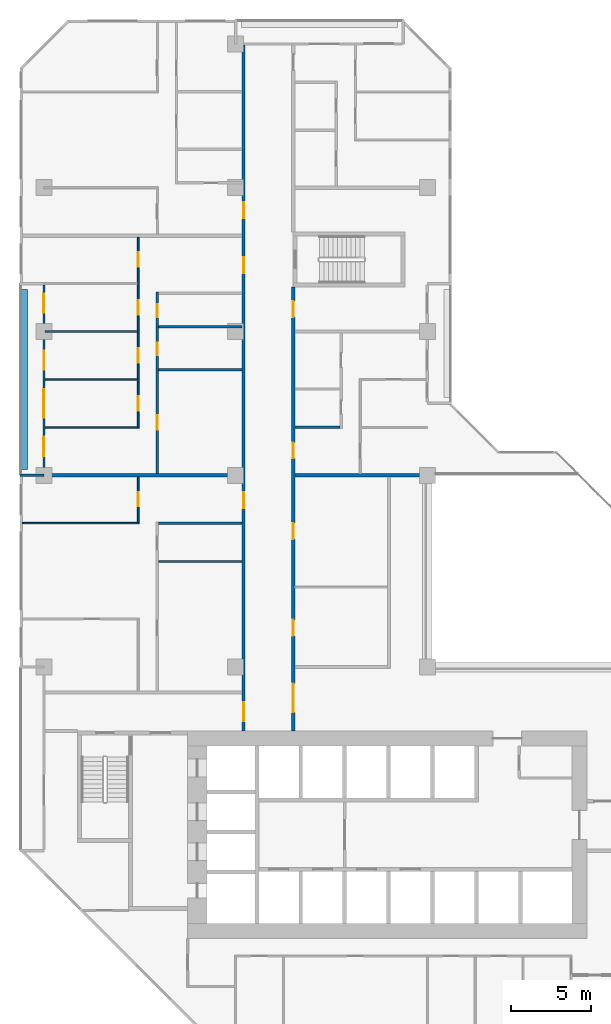
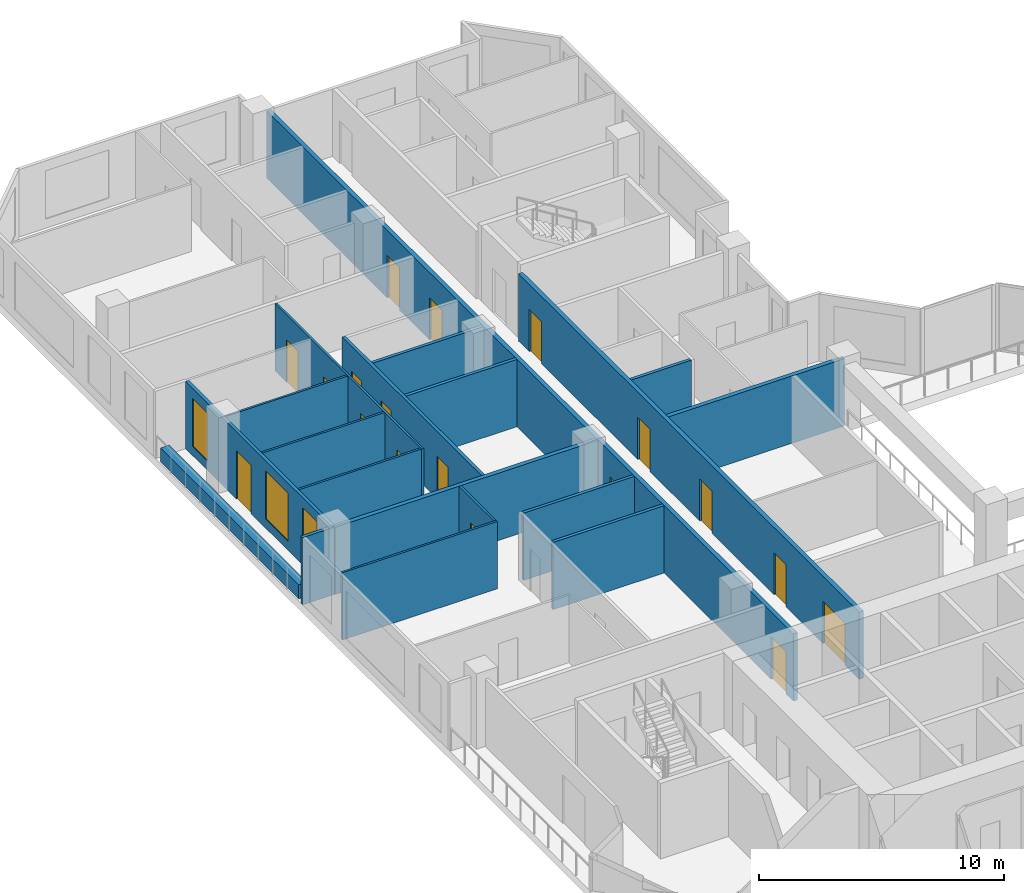
# One storey, part 9 of 16: 19 walls, 18 doors, 3 windows, 21 openings.
"""IFC4 building model written with IfcOpenShell, lengths in metres."""

from ifc_helpers import new_model, si_unit, direction, frame, frame_2d, origin, place, context, subcontext, project, spatial, rectangle, extrude, material, layer, layer_set, type_object, element, fill, save


model = new_model("IFC4")

# Units and contexts
model_context = context("Model", 3, precision=1e-05, world=origin(), true_north=direction((0.0, 1.0)))
body_context = subcontext(model_context, "Body", "Model", "MODEL_VIEW")
ifc_project = project(units=[si_unit("LENGTHUNIT", "METRE"), si_unit("AREAUNIT", "SQUARE_METRE"), si_unit("VOLUMEUNIT", "CUBIC_METRE"), si_unit("PLANEANGLEUNIT", "RADIAN"), si_unit("MASSUNIT", "GRAM", prefix="KILO")], contexts=[model_context])

# Site, building, storey
site_placement = place(None, origin())
site = spatial("IfcSite", under=ifc_project, at=site_placement, CompositionType="ELEMENT")
building_placement = place(site_placement, origin())
building = spatial("IfcBuilding", under=site, at=building_placement, Name="Chenar Terraces", CompositionType="ELEMENT")
storey_placement = place(building_placement, frame((0.0, 0.0, 103.14990234375)))
storey = spatial("IfcBuildingStorey", under=building, at=storey_placement, Name="L23", CompositionType="ELEMENT", Elevation=103.14990234375)

# Wall, openings, doors
ifc_material_1 = material(Name="Gypsum board on steel studs with fire boards", Category="steel")
ifc_layer_1 = layer(ifc_material_1, 0.199951171875)
ifc_layer_set_1 = layer_set([ifc_layer_1], Name="Gypsum board on steel studs with fire boards")
wall_type_1 = type_object("IfcWallType", Name="Corridor wall 200", PredefinedType="PARTITIONING", material=ifc_layer_set_1)
wall_1_placement = place(storey_placement, frame((12.5, 20.0, 0.0), z_axis=(0.0, 0.0, 1.0), x_axis=(0.0, 1.0, 0.0)))
wall_1 = element("IfcWall", 1, at=wall_1_placement, inside=storey, type_object=wall_type_1, Name="Partition L23-034", PredefinedType="PARTITIONING", context=body_context, shape_type="SweptSolid", body=[
    extrude(rectangle(XDim=42.926025390625, YDim=0.199951171875, at=frame_2d((21.462890625, 0.0))), origin(), (0.0, 0.0, 1.0), 3.35009765625),
])
opening_1_placement = place(wall_1_placement, frame((28.64990234375, 0.0, 0.0)))
opening_1 = element("IfcOpeningElement", 2, at=opening_1_placement, cuts=wall_1, Name="Opening DL23-40", PredefinedType="OPENING", context=body_context, shape_type="SweptSolid", body=[
    extrude(rectangle(XDim=1.0, YDim=2.10009765625, at=frame_2d((0.5, 1.050048828125))), frame((0.0, 0.10986328125, 0.0), z_axis=(0.0, -1.0, 0.0), x_axis=(1.0, 0.0, 0.0)), (0.0, 0.0, 1.0), 0.219970703125),
])
opening_2_placement = place(wall_1_placement, frame((32.10009765625, 0.0, 0.0)))
opening_2 = element("IfcOpeningElement", 3, at=opening_2_placement, cuts=wall_1, Name="Opening DL23-46", PredefinedType="OPENING", context=body_context, shape_type="SweptSolid", body=[
    extrude(rectangle(XDim=1.0, YDim=2.10009765625, at=frame_2d((0.5, 1.050048828125))), frame((0.0, 0.10986328125, 0.0), z_axis=(0.0, -1.0, 0.0), x_axis=(1.0, 0.0, 0.0)), (0.0, 0.0, 1.0), 0.219970703125),
])
opening_3_placement = place(wall_1_placement, frame((0.60009765625, 0.0, 0.0)))
opening_3 = element("IfcOpeningElement", 4, at=opening_3_placement, cuts=wall_1, Name="Opening DL23-50", PredefinedType="OPENING", context=body_context, shape_type="SweptSolid", body=[
    extrude(rectangle(XDim=1.199951171875, YDim=2.10009765625, at=frame_2d((0.60009765625, 1.050048828125))), frame((0.0, 0.10986328125, 0.0), z_axis=(0.0, -1.0, 0.0), x_axis=(1.0, 0.0, 0.0)), (0.0, 0.0, 1.0), 0.219970703125),
])
opening_4_placement = place(wall_1_placement, frame((13.949951171875, 0.0, 0.0)))
opening_4 = element("IfcOpeningElement", 5, at=opening_4_placement, cuts=wall_1, Name="Opening DL23-73", PredefinedType="OPENING", context=body_context, shape_type="SweptSolid", body=[
    extrude(rectangle(XDim=1.0, YDim=2.10009765625, at=frame_2d((0.5, 1.050048828125))), frame((0.0, 0.10986328125, 0.0), z_axis=(0.0, -1.0, 0.0), x_axis=(1.0, 0.0, 0.0)), (0.0, 0.0, 1.0), 0.219970703125),
])
ifc_material_2 = material(Name="Steel-framed fire-resisting door leaf", Category="steel")
door_type_1 = type_object("IfcDoorType", Name="Fire door FD30S 1000 x 2100", OperationType="SINGLE_SWING_LEFT", PredefinedType="DOOR", material=ifc_material_2)
door_1_placement = place(opening_1_placement, origin())
door_1 = element("IfcDoor", 6, at=door_1_placement, inside=storey, type_object=door_type_1, Name="Door DL23-40", OperationType="SINGLE_SWING_LEFT", OverallHeight=2.10009765625, OverallWidth=1.0, PredefinedType="DOOR", context=body_context, shape_type="SweptSolid", body=[
    extrude(rectangle(XDim=1.0, YDim=2.10009765625, at=frame_2d((0.5, 1.050048828125))), frame((0.0, 0.02490234375, 0.0), z_axis=(0.0, -1.0, 0.0), x_axis=(1.0, 0.0, 0.0)), (0.0, 0.0, 1.0), 0.050048828125),
])
fill(opening_1, door_1)
door_2_placement = place(opening_2_placement, origin())
door_2 = element("IfcDoor", 7, at=door_2_placement, inside=storey, type_object=door_type_1, Name="Door DL23-46", OperationType="SINGLE_SWING_RIGHT", OverallHeight=2.10009765625, OverallWidth=1.0, PredefinedType="DOOR", context=body_context, shape_type="SweptSolid", body=[
    extrude(rectangle(XDim=1.0, YDim=2.10009765625, at=frame_2d((0.5, 1.050048828125))), frame((0.0, 0.02490234375, 0.0), z_axis=(0.0, -1.0, 0.0), x_axis=(1.0, 0.0, 0.0)), (0.0, 0.0, 1.0), 0.050048828125),
])
fill(opening_2, door_2)
door_3_placement = place(opening_4_placement, origin())
door_3 = element("IfcDoor", 8, at=door_3_placement, inside=storey, type_object=door_type_1, Name="Door DL23-73", OperationType="SINGLE_SWING_RIGHT", OverallHeight=2.10009765625, OverallWidth=1.0, PredefinedType="DOOR", context=body_context, shape_type="SweptSolid", body=[
    extrude(rectangle(XDim=1.0, YDim=2.10009765625, at=frame_2d((0.5, 1.050048828125))), frame((0.0, 0.02490234375, 0.0), z_axis=(0.0, -1.0, 0.0), x_axis=(1.0, 0.0, 0.0)), (0.0, 0.0, 1.0), 0.050048828125),
])
fill(opening_4, door_3)
ifc_material_3 = material(Name="Steel-framed fire-resisting door leaf", Category="steel")
door_type_2 = type_object("IfcDoorType", Name="Fire door FD30S 1200 x 2100", OperationType="SINGLE_SWING_LEFT", PredefinedType="DOOR", material=ifc_material_3)
door_4_placement = place(opening_3_placement, origin())
door_4 = element("IfcDoor", 9, at=door_4_placement, inside=storey, type_object=door_type_2, Name="Door DL23-50", OperationType="SINGLE_SWING_RIGHT", OverallHeight=2.10009765625, OverallWidth=1.199951171875, PredefinedType="DOOR", context=body_context, shape_type="SweptSolid", body=[
    extrude(rectangle(XDim=1.199951171875, YDim=2.10009765625, at=frame_2d((0.60009765625, 1.050048828125))), frame((0.0, 0.02490234375, 0.0), z_axis=(0.0, -1.0, 0.0), x_axis=(1.0, 0.0, 0.0)), (0.0, 0.0, 1.0), 0.050048828125),
])
fill(opening_3, door_4)

wall_2_placement = place(storey_placement, frame((15.60009765625, 20.0, 0.0), z_axis=(0.0, 0.0, 1.0), x_axis=(0.0, 1.0, 0.0)))
wall_2 = element("IfcWall", 10, at=wall_2_placement, inside=storey, type_object=wall_type_1, Name="Partition L23-036", PredefinedType="PARTITIONING", context=body_context, shape_type="SweptSolid", body=[
    extrude(rectangle(XDim=27.77490234375, YDim=0.199951171875, at=frame_2d((13.887451171875, 0.0))), origin(), (0.0, 0.0, 1.0), 3.35009765625),
])
opening_5_placement = place(wall_2_placement, frame((5.949951171875, 0.0, 0.0)))
opening_5 = element("IfcOpeningElement", 11, at=opening_5_placement, cuts=wall_2, Name="Opening DL23-1", PredefinedType="OPENING", context=body_context, shape_type="SweptSolid", body=[
    extrude(rectangle(XDim=1.0, YDim=2.10009765625, at=frame_2d((0.5, 1.050048828125))), frame((0.0, 0.10986328125, 0.0), z_axis=(0.0, -1.0, 0.0), x_axis=(1.0, 0.0, 0.0)), (0.0, 0.0, 1.0), 0.219970703125),
])
opening_6_placement = place(wall_2_placement, frame((12.0, 0.0, 0.0)))
opening_6 = element("IfcOpeningElement", 12, at=opening_6_placement, cuts=wall_2, Name="Opening DL23-2", PredefinedType="OPENING", context=body_context, shape_type="SweptSolid", body=[
    extrude(rectangle(XDim=1.0, YDim=2.10009765625, at=frame_2d((0.5, 1.050048828125))), frame((0.0, 0.10986328125, 0.0), z_axis=(0.0, -1.0, 0.0), x_axis=(1.0, 0.0, 0.0)), (0.0, 0.0, 1.0), 0.219970703125),
])
opening_7_placement = place(wall_2_placement, frame((17.050048828125, 0.0, 0.0)))
opening_7 = element("IfcOpeningElement", 13, at=opening_7_placement, cuts=wall_2, Name="Opening DL23-28", PredefinedType="OPENING", context=body_context, shape_type="SweptSolid", body=[
    extrude(rectangle(XDim=1.0, YDim=2.10009765625, at=frame_2d((0.5, 1.050048828125))), frame((0.0, 0.10986328125, 0.0), z_axis=(0.0, -1.0, 0.0), x_axis=(1.0, 0.0, 0.0)), (0.0, 0.0, 1.0), 0.219970703125),
])
opening_8_placement = place(wall_2_placement, frame((1.14990234375, 0.0, 0.0)))
opening_8 = element("IfcOpeningElement", 14, at=opening_8_placement, cuts=wall_2, Name="Opening DL23-49", PredefinedType="OPENING", context=body_context, shape_type="SweptSolid", body=[
    extrude(rectangle(XDim=1.800048828125, YDim=2.10009765625, at=frame_2d((0.89990234375, 1.050048828125))), frame((0.0, 0.10986328125, 0.0), z_axis=(0.0, -1.0, 0.0), x_axis=(1.0, 0.0, 0.0)), (0.0, 0.0, 1.0), 0.219970703125),
])
opening_9_placement = place(wall_2_placement, frame((25.89990234375, 0.0, 0.0)))
opening_9 = element("IfcOpeningElement", 15, at=opening_9_placement, cuts=wall_2, Name="Opening DL23-52", PredefinedType="OPENING", context=body_context, shape_type="SweptSolid", body=[
    extrude(rectangle(XDim=1.0, YDim=2.10009765625, at=frame_2d((0.5, 1.050048828125))), frame((0.0, 0.10986328125, 0.0), z_axis=(0.0, -1.0, 0.0), x_axis=(1.0, 0.0, 0.0)), (0.0, 0.0, 1.0), 0.219970703125),
])
ifc_material_4 = material(Name="Steel-framed fire-resisting door leaf", Category="steel")
door_type_3 = type_object("IfcDoorType", Name="Fire door FD60 1000 x 2100", OperationType="SINGLE_SWING_LEFT", PredefinedType="DOOR", material=ifc_material_4)
door_5_placement = place(opening_5_placement, frame((1.0, 0.0, 0.0), z_axis=(0.0, 0.0, 1.0), x_axis=(-1.0, 0.0, 0.0)))
door_5 = element("IfcDoor", 16, at=door_5_placement, inside=storey, type_object=door_type_3, Name="Door DL23-1", OperationType="SINGLE_SWING_LEFT", OverallHeight=2.10009765625, OverallWidth=1.0, PredefinedType="DOOR", context=body_context, shape_type="SweptSolid", body=[
    extrude(rectangle(XDim=1.0, YDim=2.10009765625, at=frame_2d((0.5, 1.050048828125))), frame((0.0, 0.02490234375, 0.0), z_axis=(0.0, -1.0, 0.0), x_axis=(1.0, 0.0, 0.0)), (0.0, 0.0, 1.0), 0.050048828125),
])
fill(opening_5, door_5)
door_6_placement = place(opening_6_placement, frame((1.0, 0.0, 0.0), z_axis=(0.0, 0.0, 1.0), x_axis=(-1.0, 0.0, 0.0)))
door_6 = element("IfcDoor", 17, at=door_6_placement, inside=storey, type_object=door_type_3, Name="Door DL23-2", OperationType="SINGLE_SWING_LEFT", OverallHeight=2.10009765625, OverallWidth=1.0, PredefinedType="DOOR", context=body_context, shape_type="SweptSolid", body=[
    extrude(rectangle(XDim=1.0, YDim=2.10009765625, at=frame_2d((0.5, 1.050048828125))), frame((0.0, 0.02490234375, 0.0), z_axis=(0.0, -1.0, 0.0), x_axis=(1.0, 0.0, 0.0)), (0.0, 0.0, 1.0), 0.050048828125),
])
fill(opening_6, door_6)
door_7_placement = place(opening_7_placement, frame((1.0, 0.0, 0.0), z_axis=(0.0, 0.0, 1.0), x_axis=(-1.0, 0.0, 0.0)))
door_7 = element("IfcDoor", 18, at=door_7_placement, inside=storey, type_object=door_type_3, Name="Door DL23-28", OperationType="SINGLE_SWING_LEFT", OverallHeight=2.10009765625, OverallWidth=1.0, PredefinedType="DOOR", context=body_context, shape_type="SweptSolid", body=[
    extrude(rectangle(XDim=1.0, YDim=2.10009765625, at=frame_2d((0.5, 1.050048828125))), frame((0.0, 0.02490234375, 0.0), z_axis=(0.0, -1.0, 0.0), x_axis=(1.0, 0.0, 0.0)), (0.0, 0.0, 1.0), 0.050048828125),
])
fill(opening_7, door_7)
door_8_placement = place(opening_9_placement, frame((1.0, 0.0, 0.0), z_axis=(0.0, 0.0, 1.0), x_axis=(-1.0, 0.0, 0.0)))
door_8 = element("IfcDoor", 19, at=door_8_placement, inside=storey, type_object=door_type_3, Name="Door DL23-52", OperationType="SINGLE_SWING_RIGHT", OverallHeight=2.10009765625, OverallWidth=1.0, PredefinedType="DOOR", context=body_context, shape_type="SweptSolid", body=[
    extrude(rectangle(XDim=1.0, YDim=2.10009765625, at=frame_2d((0.5, 1.050048828125))), frame((0.0, 0.02490234375, 0.0), z_axis=(0.0, -1.0, 0.0), x_axis=(1.0, 0.0, 0.0)), (0.0, 0.0, 1.0), 0.050048828125),
])
fill(opening_9, door_8)
ifc_material_5 = material(Name="Steel-framed fire-resisting door leaf", Category="steel")
door_type_4 = type_object("IfcDoorType", Name="Fire double door FD60 1800 x 2100", OperationType="DOUBLE_DOOR_SINGLE_SWING", PredefinedType="DOOR", material=ifc_material_5)
door_9_placement = place(opening_8_placement, frame((1.800048828125, 0.0, 0.0), z_axis=(0.0, 0.0, 1.0), x_axis=(-1.0, 0.0, 0.0)))
door_9 = element("IfcDoor", 20, at=door_9_placement, inside=storey, type_object=door_type_4, Name="Door DL23-49", OperationType="DOUBLE_DOOR_SINGLE_SWING", OverallHeight=2.10009765625, OverallWidth=1.800048828125, PredefinedType="DOOR", context=body_context, shape_type="SweptSolid", body=[
    extrude(rectangle(XDim=1.800048828125, YDim=2.10009765625, at=frame_2d((0.89990234375, 1.050048828125))), frame((0.0, 0.02490234375, 0.0), z_axis=(0.0, -1.0, 0.0), x_axis=(1.0, 0.0, 0.0)), (0.0, 0.0, 1.0), 0.050048828125),
])
fill(opening_8, door_9)

# Wall, openings, windows, door
ifc_material_6 = material(Name="Aluminium framed glazing", Category="aluminium")
ifc_layer_2 = layer(ifc_material_6, 0.14990234375)
ifc_layer_set_2 = layer_set([ifc_layer_2], Name="Aluminium framed glazing")
wall_type_2 = type_object("IfcWallType", Name="Glazed loggia back wall 150", PredefinedType="SOLIDWALL", material=ifc_layer_set_2)
wall_3_placement = place(storey_placement, frame((0.0, 47.925048828125, 0.0), z_axis=(0.0, 0.0, 1.0), x_axis=(0.0, -1.0, 0.0)))
wall_3 = element("IfcWall", 21, at=wall_3_placement, inside=storey, type_object=wall_type_2, Name="Glazed loggia back wall", PredefinedType="SOLIDWALL", context=body_context, shape_type="SweptSolid", body=[
    extrude(rectangle(XDim=11.85009765625, YDim=0.14990234375, at=frame_2d((5.925048828125, 0.0))), origin(), (0.0, 0.0, 1.0), 3.35009765625),
])
opening_10_placement = place(wall_3_placement, frame((0.5625, 0.0, 0.449951171875)))
opening_10 = element("IfcOpeningElement", 22, at=opening_10_placement, cuts=wall_3, Name="Opening W120x240", PredefinedType="OPENING", context=body_context, shape_type="SweptSolid", body=[
    extrude(rectangle(XDim=1.199951171875, YDim=2.39990234375, at=frame_2d((0.60009765625, 1.199951171875))), frame((0.0, 0.0849609375, 0.0), z_axis=(0.0, -1.0, 0.0), x_axis=(1.0, 0.0, 0.0)), (0.0, 0.0, 1.0), 0.169921875),
])
opening_11_placement = place(wall_3_placement, frame((4.125, 0.0, 0.0)))
opening_11 = element("IfcOpeningElement", 23, at=opening_11_placement, cuts=wall_3, Name="Opening DL23-G4", PredefinedType="OPENING", context=body_context, shape_type="SweptSolid", body=[
    extrude(rectangle(XDim=1.199951171875, YDim=2.39990234375, at=frame_2d((0.60009765625, 1.199951171875))), frame((0.0, 0.0849609375, 0.0), z_axis=(0.0, -1.0, 0.0), x_axis=(1.0, 0.0, 0.0)), (0.0, 0.0, 1.0), 0.169921875),
])
opening_12_placement = place(wall_3_placement, frame((6.52490234375, 0.0, 0.449951171875)))
opening_12 = element("IfcOpeningElement", 24, at=opening_12_placement, cuts=wall_3, Name="Opening W180x240", PredefinedType="OPENING", context=body_context, shape_type="SweptSolid", body=[
    extrude(rectangle(XDim=1.800048828125, YDim=2.39990234375, at=frame_2d((0.89990234375, 1.199951171875))), frame((0.0, 0.0849609375, 0.0), z_axis=(0.0, -1.0, 0.0), x_axis=(1.0, 0.0, 0.0)), (0.0, 0.0, 1.0), 0.169921875),
])
opening_13_placement = place(wall_3_placement, frame((9.52490234375, 0.0, 0.449951171875)))
opening_13 = element("IfcOpeningElement", 25, at=opening_13_placement, cuts=wall_3, Name="Opening W120x240", PredefinedType="OPENING", context=body_context, shape_type="SweptSolid", body=[
    extrude(rectangle(XDim=1.199951171875, YDim=2.39990234375, at=frame_2d((0.60009765625, 1.199951171875))), frame((0.0, 0.0849609375, 0.0), z_axis=(0.0, -1.0, 0.0), x_axis=(1.0, 0.0, 0.0)), (0.0, 0.0, 1.0), 0.169921875),
])
ifc_material_7 = material(Name="Low emissivity double glazing, aluminium frame", Category="aluminium")
window_type_1 = type_object("IfcWindowType", Name="Fixed light 1200 x 2400", PartitioningType="SINGLE_PANEL", PredefinedType="WINDOW", material=ifc_material_7)
window_1_placement = place(opening_10_placement, origin())
window_1 = element("IfcWindow", 26, at=window_1_placement, inside=storey, type_object=window_type_1, Name="Window", OverallHeight=2.39990234375, OverallWidth=1.199951171875, PartitioningType="SINGLE_PANEL", PredefinedType="WINDOW", context=body_context, shape_type="SweptSolid", body=[
    extrude(rectangle(XDim=1.199951171875, YDim=2.39990234375, at=frame_2d((0.60009765625, 1.199951171875))), frame((0.0, 0.030029296875, 0.0), z_axis=(0.0, -1.0, 0.0), x_axis=(1.0, 0.0, 0.0)), (0.0, 0.0, 1.0), 0.06005859375),
])
fill(opening_10, window_1)
window_2_placement = place(opening_13_placement, origin())
window_2 = element("IfcWindow", 27, at=window_2_placement, inside=storey, type_object=window_type_1, Name="Window", OverallHeight=2.39990234375, OverallWidth=1.199951171875, PartitioningType="SINGLE_PANEL", PredefinedType="WINDOW", context=body_context, shape_type="SweptSolid", body=[
    extrude(rectangle(XDim=1.199951171875, YDim=2.39990234375, at=frame_2d((0.60009765625, 1.199951171875))), frame((0.0, 0.030029296875, 0.0), z_axis=(0.0, -1.0, 0.0), x_axis=(1.0, 0.0, 0.0)), (0.0, 0.0, 1.0), 0.06005859375),
])
fill(opening_13, window_2)
ifc_material_8 = material(Name="Low emissivity double glazing, aluminium frame", Category="aluminium")
window_type_2 = type_object("IfcWindowType", Name="Fixed light 1800 x 2400", PartitioningType="SINGLE_PANEL", PredefinedType="WINDOW", material=ifc_material_8)
window_3_placement = place(opening_12_placement, origin())
window_3 = element("IfcWindow", 28, at=window_3_placement, inside=storey, type_object=window_type_2, Name="Window", OverallHeight=2.39990234375, OverallWidth=1.800048828125, PartitioningType="SINGLE_PANEL", PredefinedType="WINDOW", context=body_context, shape_type="SweptSolid", body=[
    extrude(rectangle(XDim=1.800048828125, YDim=2.39990234375, at=frame_2d((0.89990234375, 1.199951171875))), frame((0.0, 0.030029296875, 0.0), z_axis=(0.0, -1.0, 0.0), x_axis=(1.0, 0.0, 0.0)), (0.0, 0.0, 1.0), 0.06005859375),
])
fill(opening_12, window_3)
ifc_material_9 = material(Name="Low emissivity double glazing, aluminium frame", Category="aluminium")
door_type_5 = type_object("IfcDoorType", Name="Loggia glazed double door 1200 x 2400", OperationType="DOUBLE_DOOR_SINGLE_SWING", PredefinedType="DOOR", material=ifc_material_9)
door_10_placement = place(opening_11_placement, frame((1.199951171875, 0.0, 0.0), z_axis=(0.0, 0.0, 1.0), x_axis=(-1.0, 0.0, 0.0)))
door_10 = element("IfcDoor", 29, at=door_10_placement, inside=storey, type_object=door_type_5, Name="Loggia glazed door", OperationType="DOUBLE_DOOR_SINGLE_SWING", OverallHeight=2.39990234375, OverallWidth=1.199951171875, PredefinedType="DOOR", context=body_context, shape_type="SweptSolid", body=[
    extrude(rectangle(XDim=1.199951171875, YDim=2.39990234375, at=frame_2d((0.60009765625, 1.199951171875))), frame((0.0, 0.02490234375, 0.0), z_axis=(0.0, -1.0, 0.0), x_axis=(1.0, 0.0, 0.0)), (0.0, 0.0, 1.0), 0.050048828125),
])
fill(opening_11, door_10)

# Walls
ifc_material_10 = material(Name="Gypsum board on steel studs", Category="steel")
ifc_layer_3 = layer(ifc_material_10, 0.10009765625)
ifc_layer_set_3 = layer_set([ifc_layer_3], Name="Gypsum board on steel studs")
wall_type_3 = type_object("IfcWallType", Name="Gypsum partition 100", PredefinedType="PARTITIONING", material=ifc_layer_set_3)
wall_4_placement = place(storey_placement, frame((-1.35009765625, 33.0, 0.0), z_axis=(0.0, 0.0, 1.0), x_axis=(1.0, 0.0, 0.0)))
element("IfcWall", 30, at=wall_4_placement, inside=storey, type_object=wall_type_3, Name="Partition L23-002", PredefinedType="PARTITIONING", context=body_context, shape_type="SweptSolid", body=[
    extrude(rectangle(XDim=7.300048828125, YDim=0.10009765625, at=frame_2d((3.64990234375, 0.0))), origin(), (0.0, 0.0, 1.0), 3.35009765625),
])
for number, where, z_axis, x_axis, name in (
    (31, (0.073974609375, 39.0, 0.0), (0.0, 0.0, 1.0), (1.0, 0.0, 0.0), "Partition L23-010"),
    (32, (0.073974609375, 42.0, 0.0), (0.0, 0.0, 1.0), (1.0, 0.0, 0.0), "Partition L23-011"),
    (33, (0.073974609375, 45.0, 0.0), (0.0, 0.0, 1.0), (1.0, 0.0, 0.0), "Partition L23-012"),
):
    element("IfcWall", number, at=place(storey_placement, frame(where, z_axis=z_axis, x_axis=x_axis)), inside=storey, type_object=wall_type_3, Name=name, PredefinedType="PARTITIONING", context=body_context, shape_type="SweptSolid", body=[
        extrude(rectangle(XDim=5.776123046875, YDim=0.10009765625, at=frame_2d((2.88818359375, 0.0))), origin(), (0.0, 0.0, 1.0), 3.35009765625),
    ])

# Wall, opening, door
wall_5_placement = place(storey_placement, frame((5.89990234375, 33.050048828125, 0.0), z_axis=(0.0, 0.0, 1.0), x_axis=(0.0, 1.0, 0.0)))
wall_5 = element("IfcWall", 34, at=wall_5_placement, inside=storey, type_object=wall_type_3, Name="Partition L23-015", PredefinedType="PARTITIONING", context=body_context, shape_type="SweptSolid", body=[
    extrude(rectangle(XDim=2.849853515625, YDim=0.10009765625, at=frame_2d((1.4248046875, 0.0))), origin(), (0.0, 0.0, 1.0), 3.35009765625),
])
opening_14_placement = place(wall_5_placement, frame((1.0, 0.0, 0.0)))
opening_14 = element("IfcOpeningElement", 35, at=opening_14_placement, cuts=wall_5, Name="Opening DL23-71", PredefinedType="OPENING", context=body_context, shape_type="SweptSolid", body=[
    extrude(rectangle(XDim=0.89990234375, YDim=2.10009765625, at=frame_2d((0.449951171875, 1.050048828125))), frame((0.0, 0.06005859375, 0.0), z_axis=(0.0, -1.0, 0.0), x_axis=(1.0, 0.0, 0.0)), (0.0, 0.0, 1.0), 0.1201171875),
])
ifc_material_11 = material(Name="Veneered timber door leaf", Category="wood")
door_type_6 = type_object("IfcDoorType", Name="Door 900 x 2100", OperationType="SINGLE_SWING_LEFT", PredefinedType="DOOR", material=ifc_material_11)
door_11_placement = place(opening_14_placement, origin())
door_11 = element("IfcDoor", 36, at=door_11_placement, inside=storey, type_object=door_type_6, Name="Door DL23-71", OperationType="SINGLE_SWING_RIGHT", OverallHeight=2.10009765625, OverallWidth=0.89990234375, PredefinedType="DOOR", context=body_context, shape_type="SweptSolid", body=[
    extrude(rectangle(XDim=0.89990234375, YDim=2.10009765625, at=frame_2d((0.449951171875, 1.050048828125))), frame((0.0, 0.02490234375, 0.0), z_axis=(0.0, -1.0, 0.0), x_axis=(1.0, 0.0, 0.0)), (0.0, 0.0, 1.0), 0.050048828125),
])
fill(opening_14, door_11)

# Wall, openings, doors
wall_6_placement = place(storey_placement, frame((5.89990234375, 38.949951171875, 0.0), z_axis=(0.0, 0.0, 1.0), x_axis=(0.0, 1.0, 0.0)))
wall_6 = element("IfcWall", 37, at=wall_6_placement, inside=storey, type_object=wall_type_3, Name="Partition L23-016", PredefinedType="PARTITIONING", context=body_context, shape_type="SweptSolid", body=[
    extrude(rectangle(XDim=11.949951171875, YDim=0.10009765625, at=frame_2d((5.97509765625, 0.0))), origin(), (0.0, 0.0, 1.0), 3.35009765625),
])
opening_15_placement = place(wall_6_placement, frame((1.10009765625, 0.0, 0.0)))
opening_15 = element("IfcOpeningElement", 38, at=opening_15_placement, cuts=wall_6, Name="Opening DL23-35", PredefinedType="OPENING", context=body_context, shape_type="SweptSolid", body=[
    extrude(rectangle(XDim=0.89990234375, YDim=2.10009765625, at=frame_2d((0.449951171875, 1.050048828125))), frame((0.0, 0.06005859375, 0.0), z_axis=(0.0, -1.0, 0.0), x_axis=(1.0, 0.0, 0.0)), (0.0, 0.0, 1.0), 0.1201171875),
])
opening_16_placement = place(wall_6_placement, frame((4.10009765625, 0.0, 0.0)))
opening_16 = element("IfcOpeningElement", 39, at=opening_16_placement, cuts=wall_6, Name="Opening DL23-36", PredefinedType="OPENING", context=body_context, shape_type="SweptSolid", body=[
    extrude(rectangle(XDim=0.89990234375, YDim=2.10009765625, at=frame_2d((0.449951171875, 1.050048828125))), frame((0.0, 0.06005859375, 0.0), z_axis=(0.0, -1.0, 0.0), x_axis=(1.0, 0.0, 0.0)), (0.0, 0.0, 1.0), 0.1201171875),
])
opening_17_placement = place(wall_6_placement, frame((7.10009765625, 0.0, 0.0)))
opening_17 = element("IfcOpeningElement", 40, at=opening_17_placement, cuts=wall_6, Name="Opening DL23-37", PredefinedType="OPENING", context=body_context, shape_type="SweptSolid", body=[
    extrude(rectangle(XDim=0.89990234375, YDim=2.10009765625, at=frame_2d((0.449951171875, 1.050048828125))), frame((0.0, 0.06005859375, 0.0), z_axis=(0.0, -1.0, 0.0), x_axis=(1.0, 0.0, 0.0)), (0.0, 0.0, 1.0), 0.1201171875),
])
opening_18_placement = place(wall_6_placement, frame((10.10009765625, 0.0, 0.0)))
opening_18 = element("IfcOpeningElement", 41, at=opening_18_placement, cuts=wall_6, Name="Opening DL23-41", PredefinedType="OPENING", context=body_context, shape_type="SweptSolid", body=[
    extrude(rectangle(XDim=0.89990234375, YDim=2.10009765625, at=frame_2d((0.449951171875, 1.050048828125))), frame((0.0, 0.06005859375, 0.0), z_axis=(0.0, -1.0, 0.0), x_axis=(1.0, 0.0, 0.0)), (0.0, 0.0, 1.0), 0.1201171875),
])
door_12_placement = place(opening_15_placement, origin())
door_12 = element("IfcDoor", 42, at=door_12_placement, inside=storey, type_object=door_type_6, Name="Door DL23-35", OperationType="SINGLE_SWING_LEFT", OverallHeight=2.10009765625, OverallWidth=0.89990234375, PredefinedType="DOOR", context=body_context, shape_type="SweptSolid", body=[
    extrude(rectangle(XDim=0.89990234375, YDim=2.10009765625, at=frame_2d((0.449951171875, 1.050048828125))), frame((0.0, 0.02490234375, 0.0), z_axis=(0.0, -1.0, 0.0), x_axis=(1.0, 0.0, 0.0)), (0.0, 0.0, 1.0), 0.050048828125),
])
fill(opening_15, door_12)
door_13_placement = place(opening_16_placement, origin())
door_13 = element("IfcDoor", 43, at=door_13_placement, inside=storey, type_object=door_type_6, Name="Door DL23-36", OperationType="SINGLE_SWING_LEFT", OverallHeight=2.10009765625, OverallWidth=0.89990234375, PredefinedType="DOOR", context=body_context, shape_type="SweptSolid", body=[
    extrude(rectangle(XDim=0.89990234375, YDim=2.10009765625, at=frame_2d((0.449951171875, 1.050048828125))), frame((0.0, 0.02490234375, 0.0), z_axis=(0.0, -1.0, 0.0), x_axis=(1.0, 0.0, 0.0)), (0.0, 0.0, 1.0), 0.050048828125),
])
fill(opening_16, door_13)
door_14_placement = place(opening_17_placement, origin())
door_14 = element("IfcDoor", 44, at=door_14_placement, inside=storey, type_object=door_type_6, Name="Door DL23-37", OperationType="SINGLE_SWING_LEFT", OverallHeight=2.10009765625, OverallWidth=0.89990234375, PredefinedType="DOOR", context=body_context, shape_type="SweptSolid", body=[
    extrude(rectangle(XDim=0.89990234375, YDim=2.10009765625, at=frame_2d((0.449951171875, 1.050048828125))), frame((0.0, 0.02490234375, 0.0), z_axis=(0.0, -1.0, 0.0), x_axis=(1.0, 0.0, 0.0)), (0.0, 0.0, 1.0), 0.050048828125),
])
fill(opening_17, door_14)
door_15_placement = place(opening_18_placement, origin())
door_15 = element("IfcDoor", 45, at=door_15_placement, inside=storey, type_object=door_type_6, Name="Door DL23-41", OperationType="SINGLE_SWING_RIGHT", OverallHeight=2.10009765625, OverallWidth=0.89990234375, PredefinedType="DOOR", context=body_context, shape_type="SweptSolid", body=[
    extrude(rectangle(XDim=0.89990234375, YDim=2.10009765625, at=frame_2d((0.449951171875, 1.050048828125))), frame((0.0, 0.02490234375, 0.0), z_axis=(0.0, -1.0, 0.0), x_axis=(1.0, 0.0, 0.0)), (0.0, 0.0, 1.0), 0.050048828125),
])
fill(opening_18, door_15)

# Walls
ifc_material_12 = material(Name="Terracotta cladding on insulated backing", Category="masonry")
ifc_layer_4 = layer(ifc_material_12, 0.14990234375)
ifc_layer_set_4 = layer_set([ifc_layer_4], Name="Terracotta cladding on insulated backing")
wall_type_4 = type_object("IfcWallType", Name="Loggia return wall 150", PredefinedType="SOLIDWALL", material=ifc_layer_set_4)
wall_7_placement = place(storey_placement, frame((-1.5, 36.0, 0.0), z_axis=(0.0, 0.0, 1.0), x_axis=(1.0, 0.0, 0.0)))
element("IfcWall", 46, at=wall_7_placement, inside=storey, type_object=wall_type_4, Name="Loggia return wall", PredefinedType="SOLIDWALL", context=body_context, shape_type="SweptSolid", body=[
    extrude(rectangle(XDim=1.5, YDim=0.14990234375, at=frame_2d((0.75, 0.0))), origin(), (0.0, 0.0, 1.0), 3.35009765625),
])
ifc_material_13 = material(Name="Twin gypsum board on steel studs with mineral wool", Category="steel")
ifc_layer_5 = layer(ifc_material_13, 0.199951171875)
ifc_layer_set_5 = layer_set([ifc_layer_5], Name="Twin gypsum board on steel studs with mineral wool")
wall_type_5 = type_object("IfcWallType", Name="Unit demising wall 200", PredefinedType="PARTITIONING", material=ifc_layer_set_5)
wall_8_placement = place(storey_placement, frame((0.0, 36.0, 0.0), z_axis=(0.0, 0.0, 1.0), x_axis=(1.0, 0.0, 0.0)))
element("IfcWall", 47, at=wall_8_placement, inside=storey, type_object=wall_type_5, Name="Partition L23-003", PredefinedType="PARTITIONING", context=body_context, shape_type="SweptSolid", body=[
    extrude(rectangle(XDim=12.39990234375, YDim=0.199951171875, at=frame_2d((6.199951171875, 0.0))), origin(), (0.0, 0.0, 1.0), 3.35009765625),
])
wall_9_placement = place(storey_placement, frame((15.699951171875, 36.0, 0.0), z_axis=(0.0, 0.0, 1.0), x_axis=(1.0, 0.0, 0.0)))
element("IfcWall", 48, at=wall_9_placement, inside=storey, type_object=wall_type_5, Name="Partition L23-040", PredefinedType="PARTITIONING", context=body_context, shape_type="SweptSolid", body=[
    extrude(rectangle(XDim=8.300048828125, YDim=0.199951171875, at=frame_2d((4.14990234375, 0.0))), origin(), (0.0, 0.0, 1.0), 3.35009765625),
])
ifc_material_14 = material(Name="GRP planter trough")
ifc_layer_6 = layer(ifc_material_14, 0.39990234375)
ifc_layer_set_6 = layer_set([ifc_layer_6], Name="GRP planter trough")
wall_type_6 = type_object("IfcWallType", Name="Vertical greenery planter 400", PredefinedType="SOLIDWALL", material=ifc_layer_set_6)
wall_10_placement = place(storey_placement, frame((-1.22900390625, 47.625, 0.0), z_axis=(0.0, 0.0, 1.0), x_axis=(0.0, -1.0, 0.0)))
element("IfcWall", 49, at=wall_10_placement, inside=storey, type_object=wall_type_6, Name="Vertical greenery planter", PredefinedType="SOLIDWALL", context=body_context, shape_type="SweptSolid", body=[
    extrude(rectangle(XDim=11.25, YDim=0.39990234375, at=frame_2d((5.625, 0.0))), origin(), (0.0, 0.0, 1.0), 0.7001953125),
])

# Wall, openings, doors
ifc_material_15 = material(Name="Moisture-resistant gypsum board on steel studs", Category="steel")
ifc_layer_7 = layer(ifc_material_15, 0.14990234375)
ifc_layer_set_7 = layer_set([ifc_layer_7], Name="Moisture-resistant gypsum board on steel studs")
wall_type_7 = type_object("IfcWallType", Name="Wet-room partition 150", PredefinedType="PARTITIONING", material=ifc_layer_set_7)
wall_11_placement = place(storey_placement, frame((7.10009765625, 36.10009765625, 0.0), z_axis=(0.0, 0.0, 1.0), x_axis=(0.0, 1.0, 0.0)))
wall_11 = element("IfcWall", 50, at=wall_11_placement, inside=storey, type_object=wall_type_7, Name="Partition L23-018", PredefinedType="PARTITIONING", context=body_context, shape_type="SweptSolid", body=[
    extrude(rectangle(XDim=11.375, YDim=0.14990234375, at=frame_2d((5.6875, 0.0))), origin(), (0.0, 0.0, 1.0), 3.35009765625),
])
opening_19_placement = place(wall_11_placement, frame((7.39990234375, 0.0, 0.0)))
opening_19 = element("IfcOpeningElement", 51, at=opening_19_placement, cuts=wall_11, Name="Opening DL23-34", PredefinedType="OPENING", context=body_context, shape_type="SweptSolid", body=[
    extrude(rectangle(XDim=0.800048828125, YDim=2.10009765625, at=frame_2d((0.39990234375, 1.050048828125))), frame((0.0, 0.0849609375, 0.0), z_axis=(0.0, -1.0, 0.0), x_axis=(1.0, 0.0, 0.0)), (0.0, 0.0, 1.0), 0.169921875),
])
opening_20_placement = place(wall_11_placement, frame((2.75, 0.0, 0.0)))
opening_20 = element("IfcOpeningElement", 52, at=opening_20_placement, cuts=wall_11, Name="Opening DL23-38", PredefinedType="OPENING", context=body_context, shape_type="SweptSolid", body=[
    extrude(rectangle(XDim=0.89990234375, YDim=2.10009765625, at=frame_2d((0.449951171875, 1.050048828125))), frame((0.0, 0.0849609375, 0.0), z_axis=(0.0, -1.0, 0.0), x_axis=(1.0, 0.0, 0.0)), (0.0, 0.0, 1.0), 0.169921875),
])
opening_21_placement = place(wall_11_placement, frame((9.800048828125, 0.0, 0.0)))
opening_21 = element("IfcOpeningElement", 53, at=opening_21_placement, cuts=wall_11, Name="Opening DL23-39", PredefinedType="OPENING", context=body_context, shape_type="SweptSolid", body=[
    extrude(rectangle(XDim=0.800048828125, YDim=2.10009765625, at=frame_2d((0.39990234375, 1.050048828125))), frame((0.0, 0.0849609375, 0.0), z_axis=(0.0, -1.0, 0.0), x_axis=(1.0, 0.0, 0.0)), (0.0, 0.0, 1.0), 0.169921875),
])
ifc_material_16 = material(Name="Veneered timber door leaf", Category="wood")
door_type_7 = type_object("IfcDoorType", Name="Door 800 x 2100", OperationType="SINGLE_SWING_LEFT", PredefinedType="DOOR", material=ifc_material_16)
door_16_placement = place(opening_19_placement, frame((0.800048828125, 0.0, 0.0), z_axis=(0.0, 0.0, 1.0), x_axis=(-1.0, 0.0, 0.0)))
door_16 = element("IfcDoor", 54, at=door_16_placement, inside=storey, type_object=door_type_7, Name="Door DL23-34", OperationType="SINGLE_SWING_RIGHT", OverallHeight=2.10009765625, OverallWidth=0.800048828125, PredefinedType="DOOR", context=body_context, shape_type="SweptSolid", body=[
    extrude(rectangle(XDim=0.800048828125, YDim=2.10009765625, at=frame_2d((0.39990234375, 1.050048828125))), frame((0.0, 0.02490234375, 0.0), z_axis=(0.0, -1.0, 0.0), x_axis=(1.0, 0.0, 0.0)), (0.0, 0.0, 1.0), 0.050048828125),
])
fill(opening_19, door_16)
door_17_placement = place(opening_21_placement, frame((0.800048828125, 0.0, 0.0), z_axis=(0.0, 0.0, 1.0), x_axis=(-1.0, 0.0, 0.0)))
door_17 = element("IfcDoor", 55, at=door_17_placement, inside=storey, type_object=door_type_7, Name="Door DL23-39", OperationType="SINGLE_SWING_RIGHT", OverallHeight=2.10009765625, OverallWidth=0.800048828125, PredefinedType="DOOR", context=body_context, shape_type="SweptSolid", body=[
    extrude(rectangle(XDim=0.800048828125, YDim=2.10009765625, at=frame_2d((0.39990234375, 1.050048828125))), frame((0.0, 0.02490234375, 0.0), z_axis=(0.0, -1.0, 0.0), x_axis=(1.0, 0.0, 0.0)), (0.0, 0.0, 1.0), 0.050048828125),
])
fill(opening_21, door_17)
door_18_placement = place(opening_20_placement, frame((0.89990234375, 0.0, 0.0), z_axis=(0.0, 0.0, 1.0), x_axis=(-1.0, 0.0, 0.0)))
door_18 = element("IfcDoor", 56, at=door_18_placement, inside=storey, type_object=door_type_6, Name="Door DL23-38", OperationType="SINGLE_SWING_LEFT", OverallHeight=2.10009765625, OverallWidth=0.89990234375, PredefinedType="DOOR", context=body_context, shape_type="SweptSolid", body=[
    extrude(rectangle(XDim=0.89990234375, YDim=2.10009765625, at=frame_2d((0.449951171875, 1.050048828125))), frame((0.0, 0.02490234375, 0.0), z_axis=(0.0, -1.0, 0.0), x_axis=(1.0, 0.0, 0.0)), (0.0, 0.0, 1.0), 0.050048828125),
])
fill(opening_20, door_18)

# Walls
for number, where, z_axis, x_axis, name in (
    (57, (7.175048828125, 30.60009765625, 0.0), (0.0, 0.0, 1.0), (1.0, 0.0, 0.0), "Partition L23-021"),
    (58, (7.175048828125, 33.0, 0.0), (0.0, 0.0, 1.0), (1.0, 0.0, 0.0), "Partition L23-022"),
    (59, (7.175048828125, 42.60009765625, 0.0), (0.0, 0.0, 1.0), (1.0, 0.0, 0.0), "Partition L23-023"),
    (60, (7.175048828125, 45.300048828125, 0.0), (0.0, 0.0, 1.0), (1.0, 0.0, 0.0), "Partition L23-024"),
):
    element("IfcWall", number, at=place(storey_placement, frame(where, z_axis=z_axis, x_axis=x_axis)), inside=storey, type_object=wall_type_7, Name=name, PredefinedType="PARTITIONING", context=body_context, shape_type="SweptSolid", body=[
        extrude(rectangle(XDim=5.224853515625, YDim=0.14990234375, at=frame_2d((2.6123046875, 0.0))), origin(), (0.0, 0.0, 1.0), 3.35009765625),
    ])
wall_12_placement = place(storey_placement, frame((15.699951171875, 39.0, 0.0), z_axis=(0.0, 0.0, 1.0), x_axis=(1.0, 0.0, 0.0)))
element("IfcWall", 61, at=wall_12_placement, inside=storey, type_object=wall_type_7, Name="Partition L23-041", PredefinedType="PARTITIONING", context=body_context, shape_type="SweptSolid", body=[
    extrude(rectangle(XDim=2.824951171875, YDim=0.14990234375, at=frame_2d((1.41259765625, 0.0))), origin(), (0.0, 0.0, 1.0), 3.35009765625),
])

save(model, "model.ifc")
